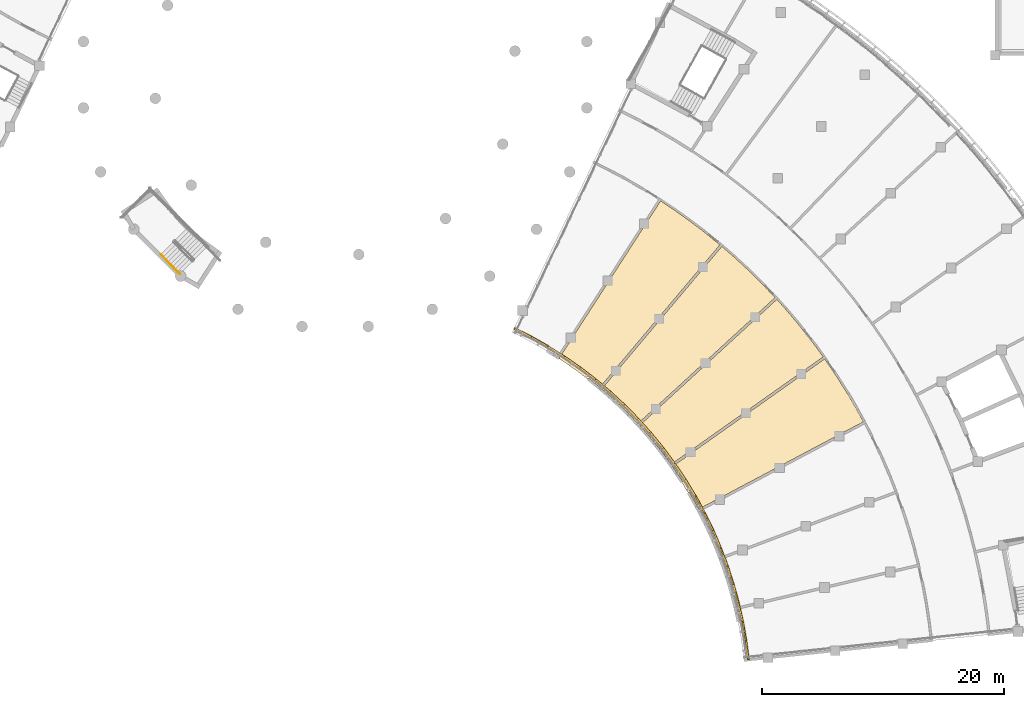
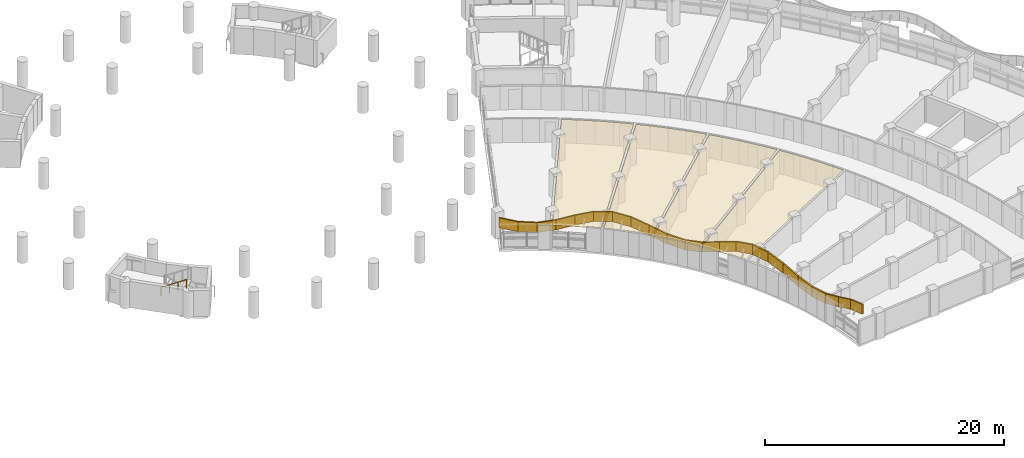
# One storey, part 78 of 89: 26 coverings, 1 railing.
"""IFC4 building model written with IfcOpenShell, lengths in metres."""

from ifc_helpers import new_model, si_unit, direction, frame, origin, origin_2d, place, context, subcontext, project, spatial, polyline, circle, outline, extrude, material, layer, layer_set, type_object, element, save


model = new_model("IFC4")

# Units and contexts
model_context = context("Model", 3, precision=1e-05, world=origin(), true_north=direction((0.0, 1.0)))
body_context = subcontext(model_context, "Body", "Model", "MODEL_VIEW")
ifc_project = project(units=[si_unit("LENGTHUNIT", "METRE"), si_unit("AREAUNIT", "SQUARE_METRE"), si_unit("VOLUMEUNIT", "CUBIC_METRE"), si_unit("PLANEANGLEUNIT", "RADIAN"), si_unit("MASSUNIT", "GRAM", prefix="KILO")], contexts=[model_context])

# Site, building, storey
site_placement = place(None, origin())
site = spatial("IfcSite", under=ifc_project, at=site_placement, CompositionType="ELEMENT")
building_placement = place(site_placement, origin())
building = spatial("IfcBuilding", under=site, at=building_placement, Name="Bougainvillea Quay General Hospital", CompositionType="ELEMENT")
storey_placement = place(building_placement, frame((0.0, 0.0, 9.89990234375)))
storey = spatial("IfcBuildingStorey", under=building, at=storey_placement, Name="L01M", CompositionType="ELEMENT", Elevation=9.89990234375)

# Coverings
ifc_material_1 = material(Name="Powder-coated aluminium fascia, green", Category="aluminium")
ifc_layer_1 = layer(ifc_material_1, 0.14990234375)
ifc_layer_set_1 = layer_set([ifc_layer_1], Name="Powder-coated aluminium fascia, green")
covering_type_1 = type_object("IfcCoveringType", Name="Aluminium wave fascia ribbon green 150x1000", PredefinedType="CLADDING", material=ifc_layer_set_1)
covering_1_placement = place(storey_placement, frame((123.972412109375, 52.955810546875, 1.99560546875), z_axis=(0.255985917265, -0.128764847835, 0.958066189845), x_axis=(0.854903842507, -0.432470385716, -0.286546306109)))
element("IfcCovering", 1, at=covering_1_placement, inside=storey, type_object=covering_type_1, Name="Fascia ribbon green a12 1", PredefinedType="CLADDING", context=body_context, shape_type="SweptSolid", body=[
    extrude(outline(polyline([(0.0, 0.0), (1.654035074733494, 4.4994390158148434e-17), (1.657686416725585, 0.15003532990027732), (-4.526538033018668e-05, 0.14990966910691858), (0.0, 0.0)])), origin(), (-0.286546306109, -0.000624765184, 0.958066189845), 1.0),
])
covering_2_placement = place(storey_placement, frame((125.386474609375, 52.240478515625, 1.52099609375), z_axis=(0.057036306109, -0.032226313274, 0.997851854996), x_axis=(0.868638583298, -0.491096056209, -0.065510878356)))
element("IfcCovering", 2, at=covering_2_placement, inside=storey, type_object=covering_type_1, Name="Fascia ribbon green a12 2", PredefinedType="CLADDING", context=body_context, shape_type="SweptSolid", body=[
    extrude(outline(polyline([(0.0, 0.0), (1.5953023679461296, -8.08950345945747e-17), (1.5987228768357074, 0.14973001490048038), (-0.0034996055144714587, 0.1500342012766228), (0.0, 0.0)])), origin(), (-0.065510878356, -1.7285884e-05, 0.997851854996), 1.0),
])
covering_3_placement = place(storey_placement, frame((126.772216796875, 51.45703125, 1.416748046875), z_axis=(-0.169523055237, 0.106440918336, 0.979761330451), x_axis=(0.829482411207, -0.521431879474, 0.200169239812)))
element("IfcCovering", 3, at=covering_3_placement, inside=storey, type_object=covering_type_1, Name="Fascia ribbon green a12 3", PredefinedType="CLADDING", context=body_context, shape_type="SweptSolid", body=[
    extrude(outline(polyline([(0.0, 0.0), (1.6246916403968275, -1.742583941727327e-16), (1.628182971194844, 0.1500808677263249), (-0.0036468825886233082, 0.1497262645549675), (0.0, 0.0)])), origin(), (0.200169239812, 0.000103855714, 0.979761330451), 1.0),
])
covering_4_placement = place(storey_placement, frame((128.119873046875, 50.60986328125, 1.742919921875), z_axis=(-0.279526882879, 0.194200540038, 0.940292971364), x_axis=(0.772082433121, -0.53669320387, 0.340366157814)))
element("IfcCovering", 4, at=covering_4_placement, inside=storey, type_object=covering_type_1, Name="Fascia ribbon green a12 4", PredefinedType="CLADDING", context=body_context, shape_type="SweptSolid", body=[
    extrude(outline(polyline([(0.0, 0.0), (1.6926896505225253, 1.0950441942103595e-17), (1.6963507448729171, 0.1498753223986144), (-0.0037327879752243505, 0.15007822944711785), (0.0, 0.0)])), origin(), (0.340366157814, 8.1352874e-05, 0.940292971364), 1.0),
])
covering_5_placement = place(storey_placement, frame((129.4267578125, 49.701416015625, 2.320068359375), z_axis=(-0.242460628258, 0.18576214288, 0.952210727737), x_axis=(0.755786259394, -0.579217059312, 0.3054418575)))
element("IfcCovering", 5, at=covering_5_placement, inside=storey, type_object=covering_type_1, Name="Fascia ribbon green a12 5", PredefinedType="CLADDING", context=body_context, shape_type="SweptSolid", body=[
    extrude(outline(polyline([(0.0, 0.0), (1.6717170692104006, -5.735429492448318e-17), (1.675319243499008, 0.14999535726458502), (-0.003642285876032969, 0.14987393435617616), (0.0, 0.0)])), origin(), (0.3054418575, 4.0856994e-05, 0.952210727737), 1.0),
])
covering_6_placement = place(storey_placement, frame((130.690185546875, 48.733154296875, 2.83154296875), z_axis=(-0.078089476289, 0.066923922017, 0.994697553206), x_axis=(0.760622075132, -0.640997660969, 0.102839960395)))
element("IfcCovering", 6, at=covering_6_placement, inside=storey, type_object=covering_type_1, Name="Fascia ribbon green a12 6", PredefinedType="CLADDING", context=body_context, shape_type="SweptSolid", body=[
    extrude(outline(polyline([(0.0, 0.0), (1.600060144426367, 1.5539327637148492e-16), (1.6036776006014333, 0.1499091933535038), (-0.0035166163572826785, 0.14999506525642117), (0.0, 0.0)])), origin(), (0.102839960395, -0.000848640793, 0.994697553206), 1.0),
])
covering_7_placement = place(storey_placement, frame((131.9072265625, 47.70751953125, 2.99609375), z_axis=(0.124079182781, -0.113896119481, 0.985713969855), x_axis=(0.723395543486, -0.669575531199, -0.168426529037)))
element("IfcCovering", 7, at=covering_7_placement, inside=storey, type_object=covering_type_1, Name="Fascia ribbon green a12 7", PredefinedType="CLADDING", context=body_context, shape_type="SweptSolid", body=[
    extrude(outline(polyline([(0.0, 0.0), (1.6148986466334183, -9.578926193909432e-17), (1.618520659069981, 0.1499933507214866), (-0.0033983425808156347, 0.14991491569221024), (0.0, 0.0)])), origin(), (-0.168426529037, -0.000688439469, 0.985713969855), 1.0),
])
covering_8_placement = place(storey_placement, frame((133.075439453125, 46.626220703125, 2.72314453125), z_axis=(0.232472352376, -0.235978315927, 0.94354164709), x_axis=(0.662027873828, -0.672301969809, -0.331253914188)))
element("IfcCovering", 8, at=covering_8_placement, inside=storey, type_object=covering_type_1, Name="Fascia ribbon green a12 8", PredefinedType="CLADDING", context=body_context, shape_type="SweptSolid", body=[
    extrude(outline(polyline([(0.0, 0.0), (1.6871417685729901, -7.178773634569646e-17), (1.690692452138036, 0.1498759912188478), (-0.0036116963521423805, 0.14999677531069813), (0.0, 0.0)])), origin(), (-0.331253914188, -6.7397666e-05, 0.94354164709), 1.0),
])
covering_9_placement = place(storey_placement, frame((134.1923828125, 45.491943359375, 2.1630859375), z_axis=(0.214892267707, -0.238109113899, 0.947167019674), x_axis=(0.632593491196, -0.704947927424, -0.320739605469)))
element("IfcCovering", 9, at=covering_9_placement, inside=storey, type_object=covering_type_1, Name="Fascia ribbon green a12 9", PredefinedType="CLADDING", context=body_context, shape_type="SweptSolid", body=[
    extrude(outline(polyline([(0.0, 0.0), (1.6803985481949297, -1.1579279202145187e-16), (1.6840894763888452, 0.14973470872553027), (-0.003734556958741689, 0.14986970544242867), (0.0, 0.0)])), origin(), (-0.320739605469, -0.000861583093, 0.947167019674), 1.0),
])
covering_10_placement = place(storey_placement, frame((135.25537109375, 44.307373046875, 1.623291015625), z_axis=(0.087744494388, -0.107393840622, 0.99033704702), x_axis=(0.626407232415, -0.767060262933, -0.138681405414)))
element("IfcCovering", 10, at=covering_10_placement, inside=storey, type_object=covering_type_1, Name="Fascia ribbon green a12 10", PredefinedType="CLADDING", context=body_context, shape_type="SweptSolid", body=[
    extrude(outline(polyline([(0.0, 0.0), (1.6073178411702194, -2.1263576294693054e-16), (1.6107690352969604, 0.15008457711061102), (-0.0035226165566404305, 0.14973461477667685), (0.0, 0.0)])), origin(), (-0.138681405414, -3.3036454e-05, 0.99033704702), 1.0),
])
covering_11_placement = place(storey_placement, frame((136.26220703125, 43.074462890625, 1.400390625), z_axis=(-0.080022175275, 0.107751551155, 0.990952095052), x_axis=(0.590477893509, -0.795815252005, 0.134216027184)))
element("IfcCovering", 11, at=covering_11_placement, inside=storey, type_object=covering_type_1, Name="Fascia ribbon green a12 11", PredefinedType="CLADDING", context=body_context, shape_type="SweptSolid", body=[
    extrude(outline(polyline([(0.0, 0.0), (1.6063007880335016, -1.1578940388966286e-16), (1.6097612177537366, 0.15006847727338582), (-0.0035900436915105396, 0.15008131930015975), (0.0, 0.0)])), origin(), (0.134216027184, 5.7958634e-05, 0.990952095052), 1.0),
])
covering_12_placement = place(storey_placement, frame((137.210693359375, 41.796142578125, 1.616943359375), z_axis=(-0.178011263742, 0.26468147087, 0.947763530085), x_axis=(0.528873929607, -0.786478274269, 0.318973808776)))
element("IfcCovering", 12, at=covering_12_placement, inside=storey, type_object=covering_type_1, Name="Fascia ribbon green a12 12", PredefinedType="CLADDING", context=body_context, shape_type="SweptSolid", body=[
    extrude(outline(polyline([(0.0, 0.0), (1.6793748428123878, -9.283481101907132e-17), (1.6830924345598461, 0.15003789412842344), (-0.0037353378286952665, 0.15006605373316773), (0.0, 0.0)])), origin(), (0.318973808776, 1.8861915e-05, 0.947763530085), 1.0),
])
covering_13_placement = place(storey_placement, frame((138.098876953125, 40.475341796875, 2.15380859375), z_axis=(-0.172754526562, 0.284313876003, 0.943038436897), x_axis=(0.489457847034, -0.80607227845, 0.332683780624)))
element("IfcCovering", 13, at=covering_13_placement, inside=storey, type_object=covering_type_1, Name="Fascia ribbon green a12 13", PredefinedType="CLADDING", context=body_context, shape_type="SweptSolid", body=[
    extrude(outline(polyline([(0.0, 0.0), (1.6879245257821107, -1.9035879643414244e-16), (1.6914867337999737, 0.14992005673098385), (-0.0036460396255772022, 0.15003965200517913), (0.0, 0.0)])), origin(), (0.332683780624, 9.2977208e-05, 0.943038436897), 1.0),
])
covering_14_placement = place(storey_placement, frame((138.925048828125, 39.11474609375, 2.716064453125), z_axis=(-0.083431700744, 0.151026096311, 0.985002674892), x_axis=(0.471533227259, -0.86480492921, 0.172536517888)))
element("IfcCovering", 14, at=covering_14_placement, inside=storey, type_object=covering_type_1, Name="Fascia ribbon green a12 14", PredefinedType="CLADDING", context=body_context, shape_type="SweptSolid", body=[
    extrude(outline(polyline([(0.0, 0.0), (1.615926591919211, -3.957337929572091e-18), (1.619368916528532, 0.14999261612114215), (-0.0036583274906091985, 0.149913569104652), (0.0, 0.0)])), origin(), (0.172536517888, 0.000938323462, 0.985002674892), 1.0),
])
covering_15_placement = place(storey_placement, frame((139.68701171875, 37.71728515625, 2.9951171875), z_axis=(0.04376176005, -0.08803269333, 0.995155843706), x_axis=(0.435313356278, -0.89489560362, -0.098306360254)))
element("IfcCovering", 15, at=covering_15_placement, inside=storey, type_object=covering_type_1, Name="Fascia ribbon green a12 15", PredefinedType="CLADDING", context=body_context, shape_type="SweptSolid", body=[
    extrude(outline(polyline([(0.0, 0.0), (1.5995107207364232, 1.9835478745622304e-16), (1.6030369669164188, 0.15006456199737112), (-0.0036078549934695616, 0.14998713543806408), (0.0, 0.0)])), origin(), (-0.098306360254, -0.00084039948, 0.995155843706), 1.0),
])
covering_16_placement = place(storey_placement, frame((140.38330078125, 36.285888671875, 2.837158203125), z_axis=(0.120421896327, -0.278357571985, 0.952898540771), x_axis=(0.37668788698, -0.875284049146, -0.303288755335)))
element("IfcCovering", 16, at=covering_16_placement, inside=storey, type_object=covering_type_1, Name="Fascia ribbon green a12 16", PredefinedType="CLADDING", context=body_context, shape_type="SweptSolid", body=[
    extrude(outline(polyline([(0.0, 0.0), (1.6702269869031852, -8.212831456577696e-17), (1.6740815992324072, 0.1499263395935134), (-0.0035931012649539793, 0.15006535663331197), (0.0, 0.0)])), origin(), (-0.303288755335, -0.000549439407, 0.952898540771), 1.0),
])
covering_17_placement = place(storey_placement, frame((141.012451171875, 34.823974609375, 2.329345703125), z_axis=(0.119999084906, -0.319442008431, 0.939977139547), x_axis=(0.331153700685, -0.879712622201, -0.341237349748)))
element("IfcCovering", 17, at=covering_17_placement, inside=storey, type_object=covering_type_1, Name="Fascia ribbon green a12 17", PredefinedType="CLADDING", context=body_context, shape_type="SweptSolid", body=[
    extrude(outline(polyline([(0.0, 0.0), (1.6934509956047064, -8.46761896711179e-17), (1.6971603878995278, 0.14998326795810626), (-0.00351630074266741, 0.14993465857791966), (0.0, 0.0)])), origin(), (-0.341237349748, 0.000219693602, 0.939977139547), 1.0),
])
covering_18_placement = place(storey_placement, frame((141.5732421875, 33.334228515625, 1.75048828125), z_axis=(0.062888404544, -0.193975052538, 0.97898862484), x_axis=(0.301960165787, -0.931256562877, -0.203914865512)))
element("IfcCovering", 18, at=covering_18_placement, inside=storey, type_object=covering_type_1, Name="Fascia ribbon green a12 18", PredefinedType="CLADDING", context=body_context, shape_type="SweptSolid", body=[
    extrude(outline(polyline([(0.0, 0.0), (1.6259305380187659, 5.555180881272603e-17), (1.6294864772713709, 0.15004102142490042), (-0.0035449049570695067, 0.14998406690494048), (0.0, 0.0)])), origin(), (-0.203914865512, 7.499562e-06, 0.97898862484), 1.0),
])
covering_19_placement = place(storey_placement, frame((142.064208984375, 31.820068359375, 1.418701171875), z_axis=(-0.016067760851, 0.058634967291, 0.998150172906), x_axis=(0.263459601527, -0.96275272344, 0.060796643598)))
element("IfcCovering", 19, at=covering_19_placement, inside=storey, type_object=covering_type_1, Name="Fascia ribbon green a12 19", PredefinedType="CLADDING", context=body_context, shape_type="SweptSolid", body=[
    extrude(outline(polyline([(0.0, 0.0), (1.5948003221309317, -1.117092461827389e-16), (1.5981929058620654, 0.15018476397960928), (-0.0034979420579976887, 0.150040791938785), (0.0, 0.0)])), origin(), (0.060796643598, 2.1335401e-05, 0.998150172906), 1.0),
])
covering_20_placement = place(storey_placement, frame((142.484375, 30.28466796875, 1.51611328125), z_axis=(-0.062473803707, 0.27742996535, 0.95871248984), x_axis=(0.209997660953, -0.935430731304, 0.284377090016)))
element("IfcCovering", 20, at=covering_20_placement, inside=storey, type_object=covering_type_1, Name="Fascia ribbon green a12 20", PredefinedType="CLADDING", context=body_context, shape_type="SweptSolid", body=[
    extrude(outline(polyline([(0.0, 0.0), (1.6601896566791532, 1.0313473165768361e-17), (1.663697708868108, 0.1498742073204988), (-0.0036982626307254843, 0.15018051995081105), (0.0, 0.0)])), origin(), (0.284377090016, 0.000180272087, 0.95871248984), 1.0),
])
covering_21_placement = place(storey_placement, frame((142.8330078125, 28.731689453125, 1.989501953125), z_axis=(-0.060381045538, 0.341124691847, 0.938076795338), x_axis=(0.162728511881, -0.923854739494, 0.346427267599)))
element("IfcCovering", 21, at=covering_21_placement, inside=storey, type_object=covering_type_1, Name="Fascia ribbon green a12 21", PredefinedType="CLADDING", context=body_context, shape_type="SweptSolid", body=[
    extrude(outline(polyline([(0.0, 0.0), (1.6968540257823614, -3.1143707404646115e-17), (1.7004160014358687, 0.14988526095812185), (-0.0037978505040162872, 0.1498689307642399), (0.0, 0.0)])), origin(), (0.346427267599, 0.000272601626, 0.938076795338), 1.0),
])
covering_22_placement = place(storey_placement, frame((143.109130859375, 27.1640625, 2.578369140625), z_axis=(-0.030121207962, 0.231255373966, 0.972426688673), x_axis=(0.124043467956, -0.964482771548, 0.233208493508)))
element("IfcCovering", 22, at=covering_22_placement, inside=storey, type_object=covering_type_1, Name="Fascia ribbon green a12 22", PredefinedType="CLADDING", context=body_context, shape_type="SweptSolid", body=[
    extrude(outline(polyline([(0.0, 0.0), (1.6296761960660249, 2.5560066216345767e-17), (1.6297525671119764, 0.14989614240484486), (-0.00368704545542976, 0.1498790475542125), (0.0, 0.0)])), origin(), (0.233208493508, 0.000365667568, 0.972426688673), 1.0),
])

# Railing
ifc_material_2 = material(Name="Stainless steel 304 handrail", Category="steel")
railing_type = type_object("IfcRailingType", Name="Stair handrail 900", PredefinedType="HANDRAIL", material=ifc_material_2)
railing_placement = place(storey_placement, frame((94.78076171875, 59.119873046875, 1.5)))
element("IfcRailing", 23, at=railing_placement, inside=storey, type_object=railing_type, Name="L01M ST-H2 stair handrail 2", PredefinedType="HANDRAIL", context=body_context, shape_type="SweptSolid", body=[
    extrude(circle(Radius=0.02392578125, at=origin_2d()), frame((0.0, 0.0, 0.8759765625), z_axis=(0.623320883276, -0.62322481039, 0.472294306748), x_axis=(0.707052281454, 0.707161276719, 0.0)), (0.0, 0.0, 1.0), 2.541259765625),
    extrude(circle(Radius=0.02099609375, at=origin_2d()), origin(), (0.0, 0.0, 1.0), 0.851806640625),
    extrude(circle(Radius=0.02099609375, at=origin_2d()), frame((0.528076171875, -0.52783203125, 0.400146484375)), (0.0, 0.0, 1.0), 0.851806640625),
    extrude(circle(Radius=0.02099609375, at=origin_2d()), frame((1.055908203125, -1.055908203125, 0.800048828125)), (0.0, 0.0, 1.0), 0.851806640625),
    extrude(circle(Radius=0.02099609375, at=origin_2d()), frame((1.583984375, -1.583740234375, 1.2001953125)), (0.0, 0.0, 1.0), 0.851806640625),
])

# Coverings
ifc_material_3 = material(Name="Mineral fibre ceiling tile")
ifc_layer_2 = layer(ifc_material_3, 0.030029296875)
ifc_layer_set_2 = layer_set([ifc_layer_2], Name="Mineral fibre ceiling tile")
covering_type_2 = type_object("IfcCoveringType", Name="Suspended ceiling mineral fibre tile", PredefinedType="CEILING", material=ifc_layer_set_2)
covering_23_placement = place(storey_placement, frame((0.0, 0.0, 2.3701171875)))
element("IfcCovering", 24, at=covering_23_placement, inside=storey, type_object=covering_type_2, Name="Ceiling Electrical Switch Room and Riser Space", PredefinedType="CEILING", context=body_context, shape_type="SweptSolid", body=[
    extrude(outline(polyline([(130.090087890625, 48.825927734375), (130.153076171875, 48.903564453125), (131.09765625, 48.137451171875), (141.03515625, 59.928955078125), (139.76171875, 60.968017578125), (138.521484375, 61.90966796875), (137.25341796875, 62.811279296875), (136.11865234375, 63.565673828125), (127.707275390625, 50.519775390625), (128.39111328125, 50.06591796875), (129.25, 49.458984375), (130.090087890625, 48.825927734375)])), origin(), (0.0, 0.0, 1.0), 0.030029296875),
])
covering_24_placement = place(storey_placement, frame((0.0, 0.0, 2.3701171875)))
element("IfcCovering", 25, at=covering_24_placement, inside=storey, type_object=covering_type_2, Name="Ceiling Electrical Switch Room and Riser Space", PredefinedType="CEILING", context=body_context, shape_type="SweptSolid", body=[
    extrude(outline(polyline([(142.149169921875, 58.969970703125), (141.188232421875, 59.80029296875), (131.2509765625, 48.0087890625), (131.921630859375, 47.425048828125), (131.923828125, 47.42724609375), (131.995849609375, 47.3603515625), (132.070068359375, 47.295654296875), (132.068115234375, 47.29345703125), (132.720947265625, 46.687255859375), (132.72314453125, 46.689453125), (132.793212890625, 46.6201171875), (132.865234375, 46.55322265625), (132.86328125, 46.551025390625), (133.496337890625, 45.92431640625), (133.498779296875, 45.92626953125), (133.56640625, 45.85498046875), (133.636474609375, 45.78564453125), (133.63427734375, 45.783447265625), (134.246826171875, 45.13818359375), (145.602783203125, 55.56787109375), (144.406494140625, 56.826416015625), (143.29443359375, 57.91552734375), (142.149169921875, 58.969970703125)])), origin(), (0.0, 0.0, 1.0), 0.030029296875),
])
covering_25_placement = place(storey_placement, frame((0.0, 0.0, 2.3701171875)))
element("IfcCovering", 26, at=covering_25_placement, inside=storey, type_object=covering_type_2, Name="Ceiling Interstitial Service Space", PredefinedType="CEILING", context=body_context, shape_type="SweptSolid", body=[
    extrude(outline(polyline([(134.973388671875, 44.32666015625), (134.975830078125, 44.328857421875), (135.038818359375, 44.253173828125), (135.104248046875, 44.1796875), (135.101806640625, 44.177734375), (135.671875, 43.492431640625), (135.674072265625, 43.494384765625), (135.73486328125, 43.416748046875), (135.7978515625, 43.341064453125), (135.795654296875, 43.339111328125), (136.34423828125, 42.637939453125), (136.3466796875, 42.6396484375), (136.40478515625, 42.560302734375), (136.46533203125, 42.48291015625), (136.462890625, 42.48095703125), (136.98779296875, 41.762451171875), (149.580078125, 50.66162109375), (148.944091796875, 51.541015625), (147.52978515625, 53.355712890625), (146.525390625, 54.544677734375), (145.738525390625, 55.4208984375), (134.382080078125, 44.990966796875), (134.973388671875, 44.32666015625)])), origin(), (0.0, 0.0, 1.0), 0.030029296875),
])
covering_26_placement = place(storey_placement, frame((0.0, 0.0, 2.3701171875)))
element("IfcCovering", 27, at=covering_26_placement, inside=storey, type_object=covering_type_2, Name="Ceiling Interstitial Service Space", PredefinedType="CEILING", context=body_context, shape_type="SweptSolid", body=[
    extrude(outline(polyline([(138.39892578125, 39.4189453125), (138.486083984375, 39.468017578125), (139.2763671875, 38.06494140625), (152.89990234375, 45.28955078125), (152.336669921875, 46.322021484375), (151.55078125, 47.666015625), (150.72216796875, 48.98486328125), (149.69482421875, 50.498046875), (137.1025390625, 41.5986328125), (137.928955078125, 40.369873046875), (137.845947265625, 40.31396484375), (138.39892578125, 39.4189453125)])), origin(), (0.0, 0.0, 1.0), 0.030029296875),
])

save(model, "model.ifc")
